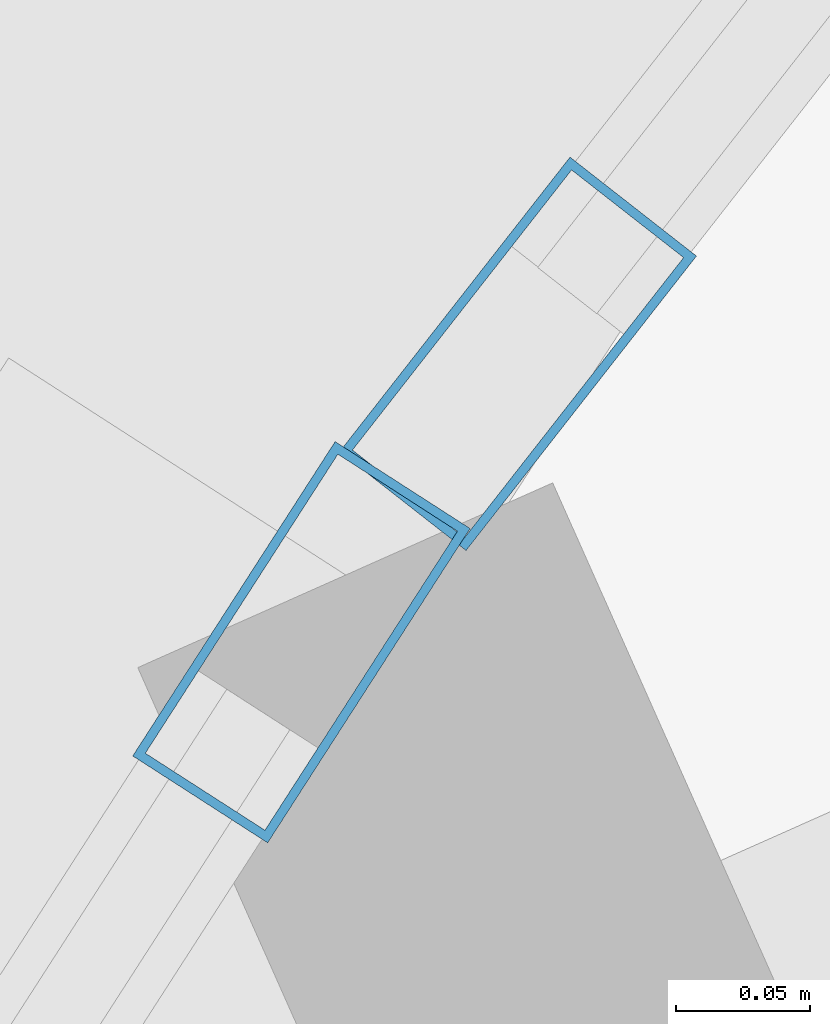
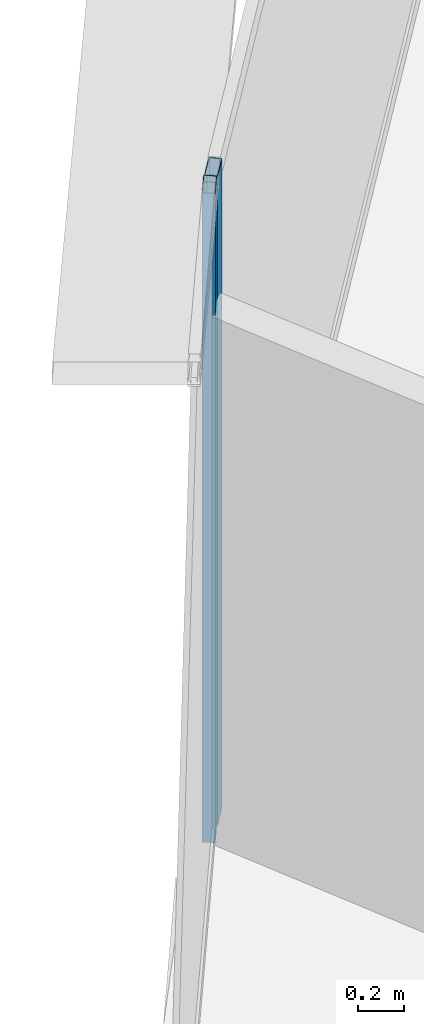
# One storey, part 16 of 34: 2 members, 2 elements without a shape of their own.
"""IFC4 building model written with IfcOpenShell, lengths in metres."""

from ifc_helpers import new_model, si_unit, direction, frame, origin, origin_2d, place, context, subcontext, project, spatial, hollow_rectangle, extrude, source, transform, mapped, material, layer, layer_set, material_profile, profile_set, type_object, element, aggregate, save


model = new_model("IFC4")

# Units and contexts
model_context = context("Model", 3, precision=1e-05, world=origin(), true_north=direction((0.0, 1.0)))
body_context = subcontext(model_context, "Body", "Model", "MODEL_VIEW")
ifc_project = project(units=[si_unit("LENGTHUNIT", "METRE"), si_unit("AREAUNIT", "SQUARE_METRE"), si_unit("VOLUMEUNIT", "CUBIC_METRE"), si_unit("PLANEANGLEUNIT", "RADIAN"), si_unit("MASSUNIT", "GRAM", prefix="KILO"), si_unit("THERMODYNAMICTEMPERATUREUNIT", "KELVIN"), si_unit("POWERUNIT", "WATT")], contexts=[model_context])

# Site, building, storey
site_placement = place(None, origin())
site = spatial("IfcSite", under=ifc_project, at=site_placement, CompositionType="ELEMENT")
building_placement = place(site_placement, origin())
building = spatial("IfcBuilding", under=site, at=building_placement, Name="Yunzhuo Pagoda Commons", CompositionType="ELEMENT")
storey_placement = place(building_placement, frame((0.0, 0.0, 233.340087890625)))
storey = spatial("IfcBuildingStorey", under=building, at=storey_placement, Name="L58", CompositionType="ELEMENT", Elevation=233.340087890625)

# Curtain wall, member
ifc_material = material(Name="Anodized aluminium 6063-T6", Category="aluminium")
ifc_layer = layer(ifc_material, 0.139892578125)
ifc_layer_set = layer_set([ifc_layer], Name="Anodized aluminium 6063-T6")
curtain_wall_type = type_object("IfcCurtainWallType", Name="CW-HI High-Zone Ribbon Curtain Wall", PredefinedType="NOTDEFINED", material=ifc_layer_set)
curtain_wall_1_placement = place(storey_placement, origin())
curtain_wall_1 = element("IfcCurtainWall", 1, at=curtain_wall_1_placement, inside=storey, type_object=curtain_wall_type, Name="L58 curtain wall CW-L58-F3B2", PredefinedType="NOTDEFINED")
ifc_material_profile = material_profile(ifc_material, hollow_rectangle(XDim=0.06005859375, YDim=0.139892578125, WallThickness=0.00341796875, at=origin_2d()), Name="Anodized aluminium 6063-T6")
ifc_profile_set = profile_set([ifc_material_profile], Name="Anodized aluminium 6063-T6")
member_type = type_object("IfcMemberType", Name="CW-HI-M Mullion RHS 140x60x3.5", PredefinedType="MULLION", material=ifc_profile_set)
shared_shape = source(origin(), body_context, "Body", "SweptSolid", [
    extrude(hollow_rectangle(XDim=0.06005859375, YDim=0.139892578125, WallThickness=0.00341796875, at=origin_2d()), origin(), (0.0, 0.0, 1.0), 3.469970703125),
])
member_1_placement = place(storey_placement, frame((33.1806640625, 66.9228515625, 0.0), z_axis=(0.0, 0.0, 1.0), x_axis=(0.840807373352, -0.541334426133, 0.0)))
member_1 = element("IfcMember", 2, at=member_1_placement, type_object=member_type, Name="CW mullion 1", PredefinedType="MULLION", context=body_context, shape_type="MappedRepresentation", body=[
    mapped(shared_shape, transform((0.0, 0.0, 0.0), scale=1.0)),
])
aggregate(curtain_wall_1, [member_1])

curtain_wall_2_placement = place(storey_placement, origin())
curtain_wall_2 = element("IfcCurtainWall", 3, at=curtain_wall_2_placement, inside=storey, type_object=curtain_wall_type, Name="L58 curtain wall CW-L58-F3B1", PredefinedType="NOTDEFINED")
member_2_placement = place(storey_placement, frame((33.26171875, 67.03076171875, 0.0), z_axis=(0.0, 0.0, 1.0), x_axis=(0.787639445288, -0.616136433127, 0.0)))
member_2 = element("IfcMember", 4, at=member_2_placement, type_object=member_type, Name="CW mullion 2", PredefinedType="MULLION", context=body_context, shape_type="MappedRepresentation", body=[
    mapped(shared_shape, transform((0.0, 0.0, 0.0), scale=1.0)),
])
aggregate(curtain_wall_2, [member_2])

save(model, "model.ifc")
